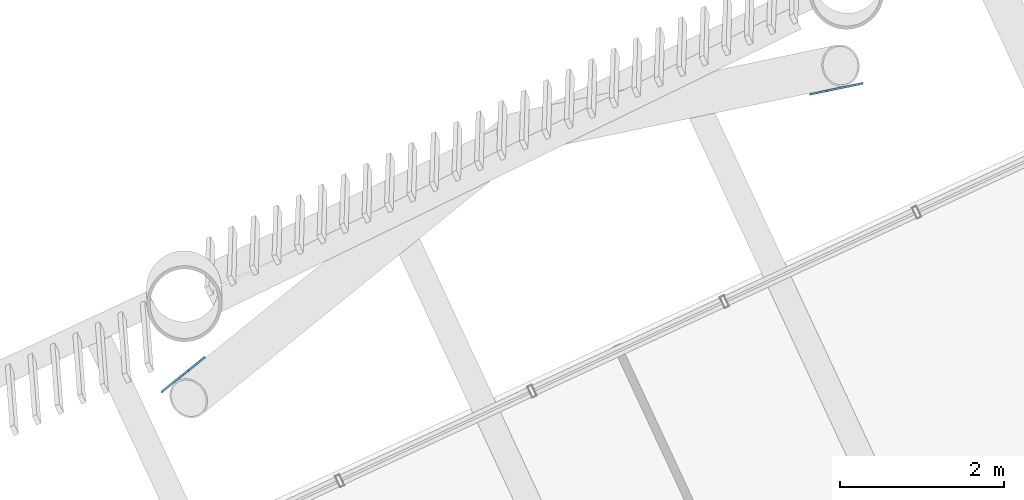
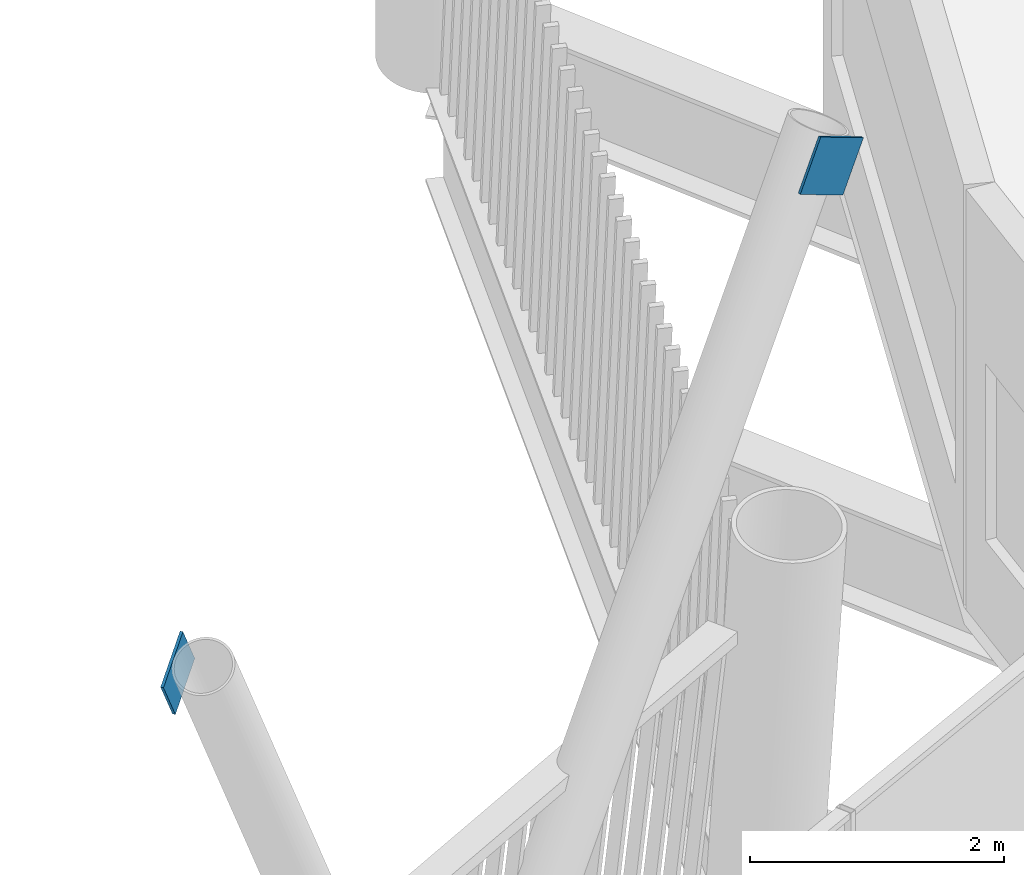
# One storey, part 26 of 36: 2 discrete accessories.
"""IFC4 building model written with IfcOpenShell, lengths in metres."""

import ifcopenshell
import ifcopenshell.guid

model = None  # the IFC model being written
_history = None  # IfcOwnerHistory: only IFC2X3 demands one
_inside = {}  # id of a spatial element -> (the spatial element, [elements in it])
_under = {}  # id of a project, library or spatial element -> (it, [spatial elements below it])
_declared = {}  # id of a project -> (the project, [libraries it declares])
_typed = {}  # id of a type object -> (the type object, [elements of that type])
_made_of = {}  # id of a material, layer set ... -> (it, [elements and type objects made of it])


def new_model(schema):
    """Start an empty IFC model of exactly this schema.

    Asked for "IFC4X3", IfcOpenShell would pick the latest addendum, in which some entities
    have other attributes; the version numbers below select the first issue.
    IFC2X3 requires an IfcOwnerHistory on every rooted entity: one is made here for all.
    """
    global model, _history
    if schema == "IFC4X3":
        model = ifcopenshell.file(schema_version=(4, 3, 0, 0))
    else:
        model = ifcopenshell.file(schema=schema)
    _inside.clear()
    _under.clear()
    _declared.clear()
    _typed.clear()
    _made_of.clear()
    _history = None
    if model.schema == "IFC2X3":
        org = make("IfcOrganization", Name="unknown")
        user = make(
            "IfcPersonAndOrganization",
            ThePerson=make("IfcPerson", FamilyName="unknown"),
            TheOrganization=org,
        )
        app = make(
            "IfcApplication",
            ApplicationDeveloper=org,
            Version="unknown",
            ApplicationFullName="unknown",
            ApplicationIdentifier="unknown",
        )
        _history = make(
            "IfcOwnerHistory",
            OwningUser=user,
            OwningApplication=app,
            ChangeAction="ADDED",
            CreationDate=0,
        )
    return model


def make(cls, **values):
    """One entity of the class cls with the attributes given. An attribute that is None is left unset."""
    return model.create_entity(
        cls, **{name: value for name, value in values.items() if value is not None}
    )


def rooted(cls, **values):
    """An entity with a GlobalId (a new one), such as an element, a storey or a relation."""
    return make(cls, GlobalId=ifcopenshell.guid.new(), OwnerHistory=_history, **values)


def si_unit(unit_type, name, prefix=None):
    """IfcSIUnit, for example si_unit("LENGTHUNIT", "METRE", prefix="MILLI")."""
    return make("IfcSIUnit", UnitType=unit_type, Prefix=prefix, Name=name)


def assignment(units):
    """IfcUnitAssignment: the units of a project."""
    return None if units is None else make("IfcUnitAssignment", Units=units)


def point(xyz):
    """IfcCartesianPoint."""
    return None if xyz is None else make("IfcCartesianPoint", Coordinates=xyz)


def direction(xyz):
    """IfcDirection."""
    return None if xyz is None else make("IfcDirection", DirectionRatios=xyz)


def frame(location, z_axis=None, x_axis=None):
    """IfcAxis2Placement3D, a coordinate frame: its origin and axes. An axis left out is left unset."""
    return make(
        "IfcAxis2Placement3D",
        Location=point(location),
        Axis=direction(z_axis),
        RefDirection=direction(x_axis),
    )


def frame_2d(location, x_axis=None):
    """IfcAxis2Placement2D, a coordinate frame in the plane: its origin and x axis."""
    return make(
        "IfcAxis2Placement2D", Location=point(location), RefDirection=direction(x_axis)
    )


def origin():
    """The frame at (0, 0, 0) with its axes left unset."""
    return frame((0.0, 0.0, 0.0))


def origin_2d():
    """The frame at (0, 0) in the plane with its x axis left unset."""
    return frame_2d((0.0, 0.0))


def place(relative_to, where):
    """IfcLocalPlacement: puts the frame where relative to a parent placement (None: the world)."""
    return make(
        "IfcLocalPlacement", PlacementRelTo=relative_to, RelativePlacement=where
    )


def context(
    kind, dimensions, precision=None, world=None, true_north=None, identifier=None
):
    """IfcGeometricRepresentationContext, for example the 3D "Model" context."""
    return make(
        "IfcGeometricRepresentationContext",
        ContextIdentifier=identifier,
        ContextType=kind,
        CoordinateSpaceDimension=dimensions,
        Precision=precision,
        WorldCoordinateSystem=world,
        TrueNorth=true_north,
    )


def subcontext(parent, identifier, kind, view, scale=None):
    """IfcGeometricRepresentationSubContext, for example "Body" below "Model"."""
    return make(
        "IfcGeometricRepresentationSubContext",
        ContextIdentifier=identifier,
        ContextType=kind,
        ParentContext=parent,
        TargetScale=scale,
        TargetView=view,
    )


def project(units=None, contexts=None):
    """IfcProject with its units and contexts."""
    return rooted(
        "IfcProject",
        Name="project",
        RepresentationContexts=contexts,
        UnitsInContext=assignment(units),
    )


def spatial(cls, under=None, at=None, **own):
    """A site, building, storey or space (cls), placed at a placement, below another one or the project."""
    s = rooted(cls, ObjectPlacement=at, **own)
    if under is not None:
        _under.setdefault(under.id(), (under, []))[1].append(s)
    return s


def profile(cls, at=None, kind="AREA", **sizes):
    """A parametric profile (cls). Its sizes go by their IFC names, for example OverallWidth=200.0."""
    return make(cls, ProfileType=kind, Position=at, **sizes)


def rectangle(**sizes):
    """IfcRectangleProfileDef."""
    return profile("IfcRectangleProfileDef", **sizes)


def extrude(swept, where, along, depth):
    """IfcExtrudedAreaSolid: the profile swept, set in the frame where, extruded along a direction by depth."""
    return make(
        "IfcExtrudedAreaSolid",
        SweptArea=swept,
        Position=where,
        ExtrudedDirection=direction(along),
        Depth=depth,
    )


def shape(context_of_items, identifier, shape_type, items):
    """IfcShapeRepresentation: the items that make up one representation, for example the "Body"."""
    return make(
        "IfcShapeRepresentation",
        ContextOfItems=context_of_items,
        RepresentationIdentifier=identifier,
        RepresentationType=shape_type,
        Items=items,
    )


def material(Name=None, Category=None):
    """IfcMaterial."""
    return make("IfcMaterial", Name=Name, Category=Category)


def material_profile(
    of_material, cross_section, Name=None, Category=None, Priority=None
):
    """IfcMaterialProfile: a cross section and its material."""
    return make(
        "IfcMaterialProfile",
        Name=Name,
        Material=of_material,
        Profile=cross_section,
        Priority=Priority,
        Category=Category,
    )


def profile_set(profiles, Name=None, composite=None):
    """IfcMaterialProfileSet."""
    return make(
        "IfcMaterialProfileSet",
        Name=Name,
        MaterialProfiles=profiles,
        CompositeProfile=composite,
    )


def made_of(thing, what):
    """Note that an element or type object is made of a material, layer set ...; save() writes the relation."""
    if what is not None:
        _made_of.setdefault(what.id(), (what, []))[1].append(thing)
    return thing


def type_object(cls, material=None, **own):
    """A type object (cls), such as IfcWallType, which elements share."""
    return made_of(rooted(cls, **own), material)


def element(
    cls,
    number,
    at=None,
    inside=None,
    cuts=None,
    type_object=None,
    material=None,
    context=None,
    identifier="Body",
    shape_type=None,
    held_by="IfcProductDefinitionShape",
    body=None,
    shapes=None,
    **own,
):
    """One element of the class cls, such as IfcWall. Its Tag is "e" and its number.

    at: its placement. inside: the storey or other place that contains it. cuts: it is an
    opening in that element (IfcRelVoidsElement). A single representation is given by context,
    identifier, shape_type and body (its items); several are given by shapes. held_by: the class
    of the entity that holds the representations. save() writes the other relations.
    """
    e = rooted(cls, Tag="e%d" % number, ObjectPlacement=at, **own)
    if body is not None:
        shapes = [shape(context, identifier, shape_type, body)]
    if shapes is not None:
        e.Representation = make(held_by, Representations=shapes)
    if inside is not None:
        _inside.setdefault(inside.id(), (inside, []))[1].append(e)
    if cuts is not None:
        rooted(
            "IfcRelVoidsElement", RelatingBuildingElement=cuts, RelatedOpeningElement=e
        )
    if type_object is not None:
        _typed.setdefault(type_object.id(), (type_object, []))[1].append(e)
    return made_of(e, material)


def aggregate(whole, parts):
    """IfcRelAggregates: a whole, such as a stair, and the parts it consists of."""
    return rooted("IfcRelAggregates", RelatingObject=whole, RelatedObjects=parts)


def save(model, path):
    """Write the relations noted so far, then the file.

    IfcRelAggregates (storeys below a building ...), IfcRelContainedInSpatialStructure (elements
    in a storey), IfcRelDefinesByType, IfcRelAssociatesMaterial and IfcRelDeclares: one each for
    every whole, place, type object, material and project.
    """
    for whole, parts in _under.values():
        aggregate(whole, parts)
    for where, things in _inside.values():
        rooted(
            "IfcRelContainedInSpatialStructure",
            RelatedElements=things,
            RelatingStructure=where,
        )
    for kind, things in _typed.values():
        rooted("IfcRelDefinesByType", RelatedObjects=things, RelatingType=kind)
    for what, things in _made_of.values():
        rooted("IfcRelAssociatesMaterial", RelatedObjects=things, RelatingMaterial=what)
    for by, libraries in _declared.values():
        rooted("IfcRelDeclares", RelatingContext=by, RelatedDefinitions=libraries)
    model.write(path)


model = new_model("IFC4")

# Units and contexts
model_context = context("Model", 3, precision=1e-05, world=origin(), true_north=direction((0.0, 1.0)))
body_context = subcontext(model_context, "Body", "Model", "MODEL_VIEW")
ifc_project = project(units=[si_unit("LENGTHUNIT", "METRE"), si_unit("AREAUNIT", "SQUARE_METRE"), si_unit("VOLUMEUNIT", "CUBIC_METRE"), si_unit("PLANEANGLEUNIT", "RADIAN"), si_unit("MASSUNIT", "GRAM", prefix="KILO")], contexts=[model_context])

# Site, building, storey
site_placement = place(None, origin())
site = spatial("IfcSite", under=ifc_project, at=site_placement, CompositionType="ELEMENT")
building_placement = place(site_placement, origin())
building = spatial("IfcBuilding", under=site, at=building_placement, Name="Tarsis Ring Headquarters", CompositionType="ELEMENT")
storey_placement = place(building_placement, frame((0.0, 0.0, 386.0)))
storey = spatial("IfcBuildingStorey", under=building, at=storey_placement, Name="L91", CompositionType="ELEMENT", Elevation=386.0)

# Discrete accessories
ifc_material = material(Name="Structural steel S355", Category="steel")
ifc_material_profile = material_profile(ifc_material, rectangle(XDim=0.02490234375, YDim=0.5, at=origin_2d()), Name="PL 25x500")
ifc_profile_set = profile_set([ifc_material_profile], Name="Structural steel S355")
discrete_accessory_type = type_object("IfcDiscreteAccessoryType", Name="Gusset plate Exo brace 25", PredefinedType="BRACKET", material=ifc_profile_set)
discrete_accessory_1_placement = place(storey_placement, frame((-37.08837890625, -2.02099609375, 8.39990234375), z_axis=(0.404913525076, 0.327252185525, -0.853786298953), x_axis=(-0.628577290264, 0.777747124819, 0.0)))
element("IfcDiscreteAccessory", 1, at=discrete_accessory_1_placement, inside=storey, type_object=discrete_accessory_type, Name="Gusset plate GP5", PredefinedType="BRACKET", context=body_context, shape_type="SweptSolid", body=[
    extrude(rectangle(XDim=0.02490234375, YDim=0.5, at=origin_2d()), origin(), (0.0, 0.0, 1.0), 0.499755859375),
])
discrete_accessory_2_placement = place(storey_placement, frame((-28.936767578125, 1.55810546875, 8.39990234375), z_axis=(-0.424230593859, -0.088849215285, -0.901184897886), x_axis=(0.20498862233, -0.978764356071, 0.0)))
element("IfcDiscreteAccessory", 2, at=discrete_accessory_2_placement, inside=storey, type_object=discrete_accessory_type, Name="Gusset plate GP5", PredefinedType="BRACKET", context=body_context, shape_type="SweptSolid", body=[
    extrude(rectangle(XDim=0.02490234375, YDim=0.5, at=origin_2d()), origin(), (0.0, 0.0, 1.0), 0.5),
])

save(model, "model.ifc")
